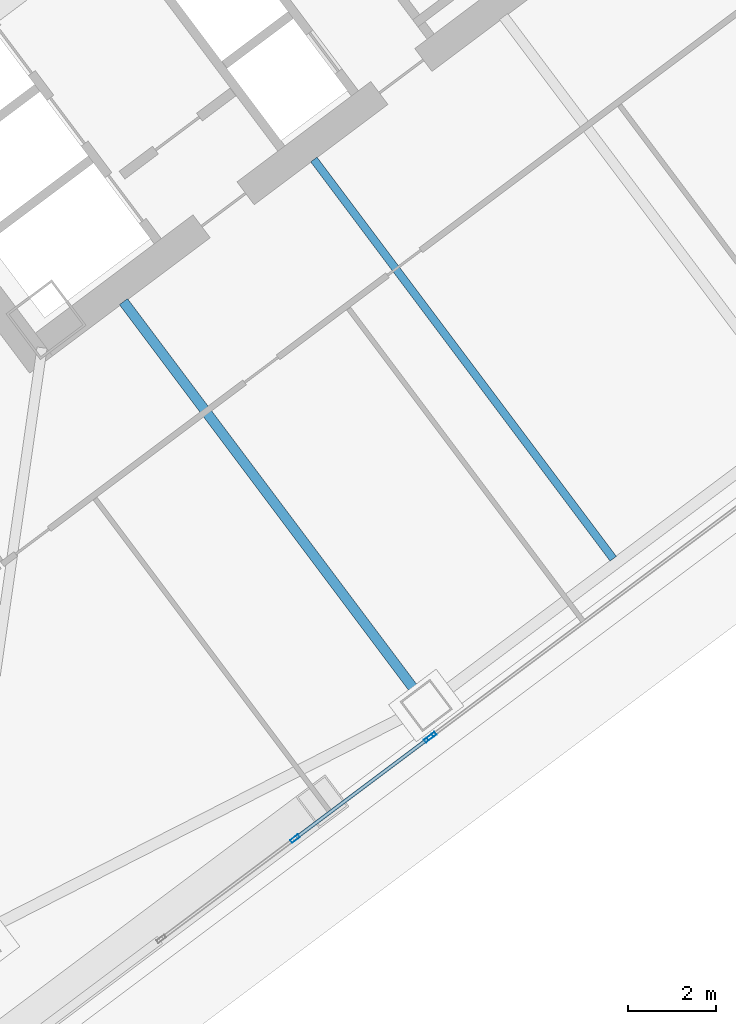
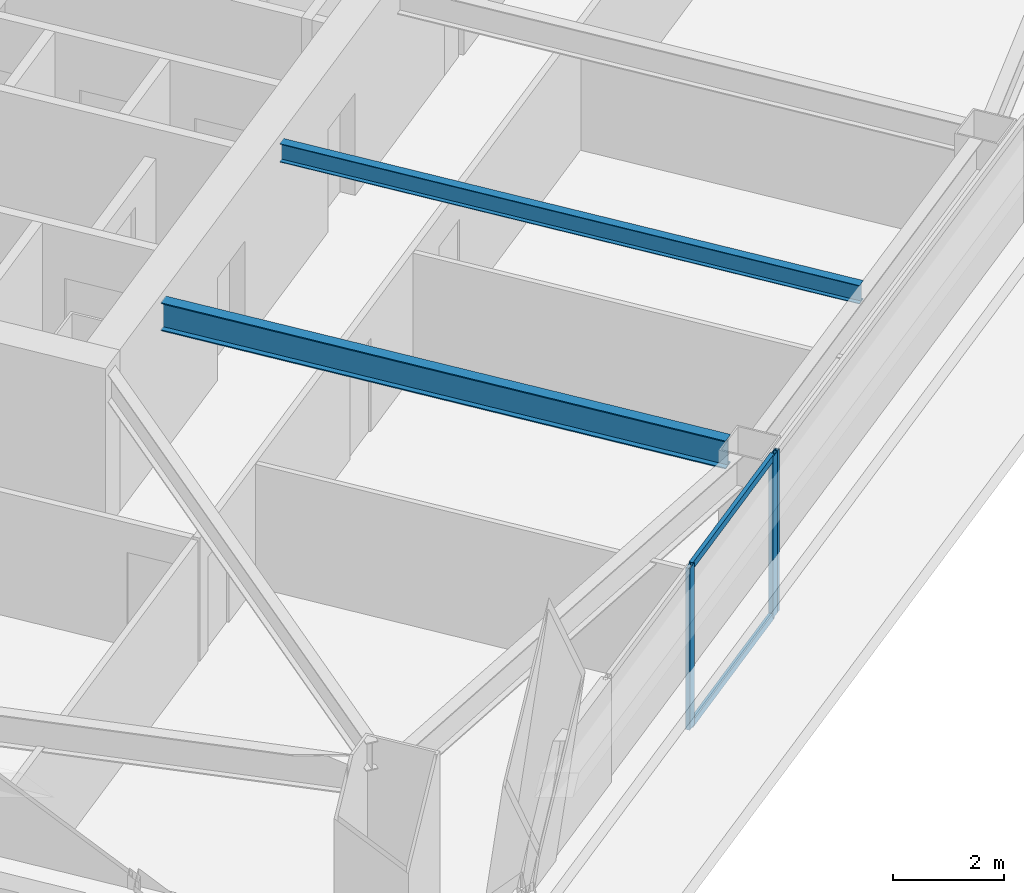
# One storey, part 39 of 67: 5 members, 2 beams, 2 elements without a shape of their own.
"""IFC4 building model written with IfcOpenShell, lengths in metres."""

from ifc_helpers import new_model, si_unit, direction, frame, origin, origin_2d, place, context, subcontext, project, spatial, hollow_rectangle, i_section, extrude, material, material_profile, profile_set, type_object, element, aggregate, save


model = new_model("IFC4")

# Units and contexts
model_context = context("Model", 3, precision=1e-05, world=origin(), true_north=direction((0.0, 1.0)))
body_context = subcontext(model_context, "Body", "Model", "MODEL_VIEW")
ifc_project = project(units=[si_unit("LENGTHUNIT", "METRE"), si_unit("AREAUNIT", "SQUARE_METRE"), si_unit("VOLUMEUNIT", "CUBIC_METRE"), si_unit("PLANEANGLEUNIT", "RADIAN"), si_unit("MASSUNIT", "GRAM", prefix="KILO")], contexts=[model_context])

# Site, building, storey
site_placement = place(None, origin())
site = spatial("IfcSite", under=ifc_project, at=site_placement, CompositionType="ELEMENT")
building_placement = place(site_placement, origin())
building = spatial("IfcBuilding", under=site, at=building_placement, Name="Tashvorn Skyway Center", CompositionType="ELEMENT")
storey_placement = place(building_placement, frame((0.0, 0.0, 67.199951171875)))
storey = spatial("IfcBuildingStorey", under=building, at=storey_placement, Name="L17", CompositionType="ELEMENT", Elevation=67.199951171875)

# Beams
ifc_material_1 = material(Name="Steel ASTM A992 Grade 50", Category="steel")
ifc_material_profile_1 = material_profile(ifc_material_1, i_section(OverallWidth=0.22998046875, OverallDepth=0.616943359375, WebThickness=0.01318359375, FlangeThickness=0.022216796875, at=origin_2d()), Name="W24X94")
ifc_profile_set_1 = profile_set([ifc_material_profile_1], Name="Steel ASTM A992 Grade 50")
beam_type_1 = type_object("IfcBeamType", Name="BM-BEAM-W24X94", PredefinedType="BEAM", material=ifc_profile_set_1)
beam_1_placement = place(storey_placement, frame((120.97802734375, 13.696044921875, 3.04150390625), z_axis=(-0.60001414024, 0.799989394625, 0.0), x_axis=(-0.799989394625, -0.60001414024, 0.0)))
element("IfcBeam", 1, at=beam_1_placement, inside=storey, type_object=beam_type_1, Name="Tower 2 L17 Primary Floor Girder FC-S1", PredefinedType="BEAM", context=body_context, shape_type="SweptSolid", body=[
    extrude(i_section(OverallWidth=0.22998046875, OverallDepth=0.616943359375, WebThickness=0.01318359375, FlangeThickness=0.022216796875, at=origin_2d()), origin(), (0.0, 0.0, 1.0), 11.050048828125),
])
ifc_material_profile_2 = material_profile(ifc_material_1, i_section(OverallWidth=0.177978515625, OverallDepth=0.406005859375, WebThickness=0.0078125, FlangeThickness=0.0126953125, at=origin_2d()), Name="W16X40")
ifc_profile_set_2 = profile_set([ifc_material_profile_2], Name="Steel ASTM A992 Grade 50")
beam_type_2 = type_object("IfcBeamType", Name="BM-JOIST-W16X40", PredefinedType="JOIST", material=ifc_profile_set_2)
beam_2_placement = place(storey_placement, frame((118.674072265625, 25.76806640625, 3.14697265625), z_axis=(0.599996555327, -0.800002583493, 0.0), x_axis=(0.800002583493, 0.599996555327, 0.0)))
element("IfcBeam", 2, at=beam_2_placement, inside=storey, type_object=beam_type_2, Name="Tower 2 L17 Secondary Composite Joist JS", PredefinedType="JOIST", context=body_context, shape_type="SweptSolid", body=[
    extrude(i_section(OverallWidth=0.177978515625, OverallDepth=0.406005859375, WebThickness=0.0078125, FlangeThickness=0.0126953125, at=origin_2d()), origin(), (0.0, 0.0, 1.0), 11.340087890625),
])

# Curtain wall, member
ifc_material_2 = material(Name="Thermally broken bronze-anodized aluminium 6063-T6", Category="aluminium")
curtain_wall_type = type_object("IfcCurtainWallType", Name="CW-CW-Z2", PredefinedType="NOTDEFINED", material=ifc_material_2)
curtain_wall_1_placement = place(storey_placement, origin())
curtain_wall_1 = element("IfcCurtainWall", 3, at=curtain_wall_1_placement, inside=storey, type_object=curtain_wall_type, Name="Tower 2 L17 South Unitised Curtain Wall Glazing Group 2", PredefinedType="NOTDEFINED")
ifc_material_profile_3 = material_profile(ifc_material_2, hollow_rectangle(XDim=0.080078125, YDim=0.219970703125, WallThickness=0.0048828125, at=origin_2d()), Name="ALU-MULL-80x220")
ifc_profile_set_3 = profile_set([ifc_material_profile_3], Name="Thermally broken bronze-anodized aluminium 6063-T6")
member_type_1 = type_object("IfcMemberType", Name="CWM-CW-Z2", PredefinedType="MULLION", material=ifc_profile_set_3)
member_1_placement = place(storey_placement, frame((121.35205078125, 12.6640625, 0.0), z_axis=(0.0, 0.0, 1.0), x_axis=(0.600000000002, -0.799999999998, 0.0)))
member_1 = element("IfcMember", 4, at=member_1_placement, type_object=member_type_1, Name="CW-Z2 mullion 2", PredefinedType="MULLION", context=body_context, shape_type="SweptSolid", body=[
    extrude(hollow_rectangle(XDim=0.080078125, YDim=0.219970703125, WallThickness=0.0048828125, at=origin_2d()), origin(), (0.0, 0.0, 1.0), 3.550048828125),
])
aggregate(curtain_wall_1, [member_1])

# Curtain wall, members
curtain_wall_2_placement = place(storey_placement, origin())
curtain_wall_2 = element("IfcCurtainWall", 5, at=curtain_wall_2_placement, inside=storey, type_object=curtain_wall_type, Name="Tower 2 L17 South Unitised Curtain Wall Glazing Group 3", PredefinedType="NOTDEFINED")
member_2_placement = place(storey_placement, frame((121.2880859375, 12.615966796875, 0.0), z_axis=(0.0, 0.0, 1.0), x_axis=(0.600000000002, -0.799999999998, 0.0)))
member_2 = element("IfcMember", 6, at=member_2_placement, type_object=member_type_1, Name="CW-Z2 mullion 1", PredefinedType="MULLION", context=body_context, shape_type="SweptSolid", body=[
    extrude(hollow_rectangle(XDim=0.080078125, YDim=0.219970703125, WallThickness=0.0048828125, at=origin_2d()), origin(), (0.0, 0.0, 1.0), 3.550048828125),
])
member_3_placement = place(storey_placement, frame((118.248046875, 10.3359375, 0.0), z_axis=(0.0, 0.0, 1.0), x_axis=(0.600000000002, -0.799999999998, 0.0)))
member_3 = element("IfcMember", 7, at=member_3_placement, type_object=member_type_1, Name="CW-Z2 mullion 2", PredefinedType="MULLION", context=body_context, shape_type="SweptSolid", body=[
    extrude(hollow_rectangle(XDim=0.080078125, YDim=0.219970703125, WallThickness=0.0048828125, at=origin_2d()), origin(), (0.0, 0.0, 1.0), 3.550048828125),
])
ifc_material_profile_4 = material_profile(ifc_material_2, hollow_rectangle(XDim=0.080078125, YDim=0.14990234375, WallThickness=0.00439453125, at=origin_2d()), Name="ALU-TRAN-80x150")
ifc_profile_set_4 = profile_set([ifc_material_profile_4], Name="Thermally broken bronze-anodized aluminium 6063-T6")
member_type_2 = type_object("IfcMemberType", Name="CWT-CW-Z2", PredefinedType="USERDEFINED", material=ifc_profile_set_4)
member_4_placement = place(storey_placement, frame((121.256103515625, 12.592041015625, 0.0400390625), z_axis=(-0.80001575065, -0.599978998559, 0.0), x_axis=(0.599978998559, -0.80001575065, 0.0)))
member_4 = element("IfcMember", 8, at=member_4_placement, type_object=member_type_2, Name="CW-Z2 transom 1.1", ObjectType="TRANSOM", PredefinedType="USERDEFINED", context=body_context, shape_type="SweptSolid", body=[
    extrude(hollow_rectangle(XDim=0.080078125, YDim=0.14990234375, WallThickness=0.00439453125, at=origin_2d()), origin(), (0.0, 0.0, 1.0), 3.719970703125),
])
member_5_placement = place(storey_placement, frame((121.256103515625, 12.592041015625, 3.510009765625), z_axis=(-0.80001575065, -0.599978998559, 0.0), x_axis=(0.599978998559, -0.80001575065, 0.0)))
member_5 = element("IfcMember", 9, at=member_5_placement, type_object=member_type_2, Name="CW-Z2 transom 1.2", ObjectType="TRANSOM", PredefinedType="USERDEFINED", context=body_context, shape_type="SweptSolid", body=[
    extrude(hollow_rectangle(XDim=0.080078125, YDim=0.14990234375, WallThickness=0.00439453125, at=origin_2d()), origin(), (0.0, 0.0, 1.0), 3.719970703125),
])
aggregate(curtain_wall_2, [member_2, member_3, member_4, member_5])

save(model, "model.ifc")
